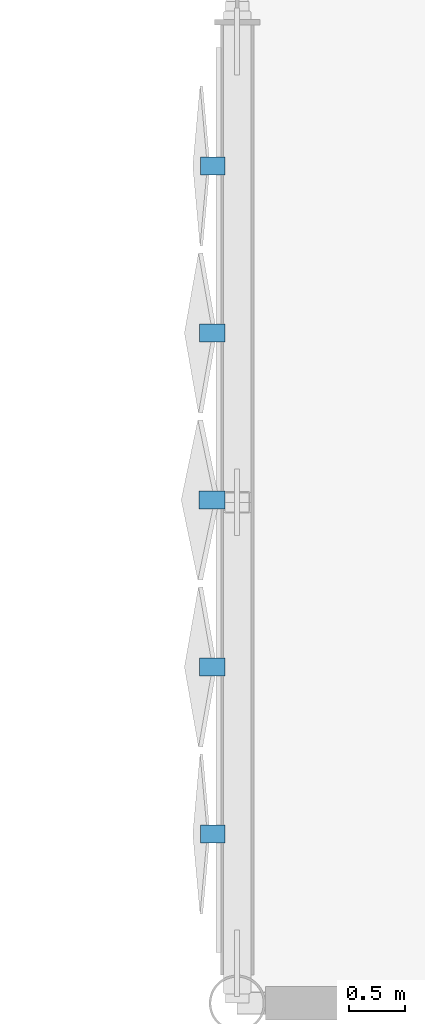
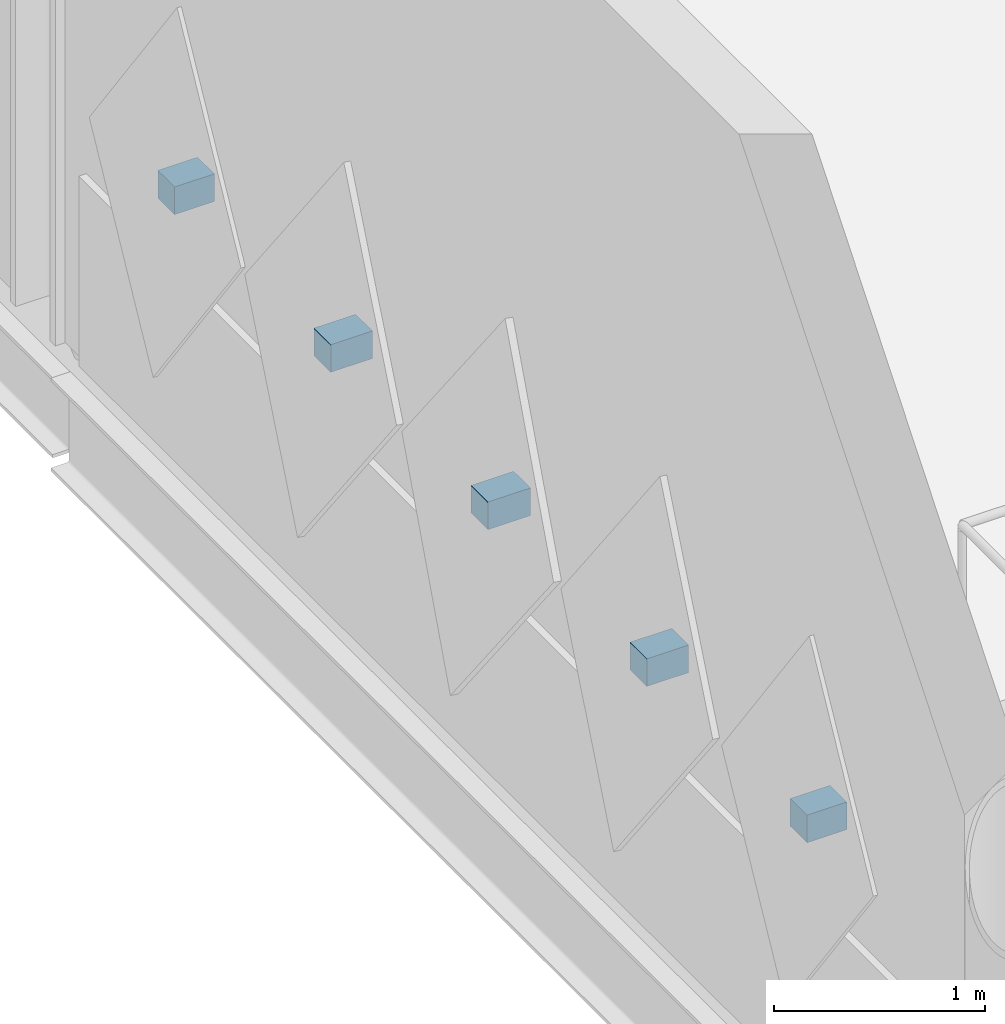
# One storey, part 69 of 94: 5 discrete accessories.
"""IFC4 building model written with IfcOpenShell, lengths in metres."""

from ifc_helpers import new_model, si_unit, direction, frame, origin, origin_2d, place, context, subcontext, project, spatial, rectangle, extrude, material, type_object, element, save


model = new_model("IFC4")

# Units and contexts
model_context = context("Model", 3, precision=1e-05, world=origin(), true_north=direction((0.0, 1.0)))
body_context = subcontext(model_context, "Body", "Model", "MODEL_VIEW")
ifc_project = project(units=[si_unit("LENGTHUNIT", "METRE"), si_unit("AREAUNIT", "SQUARE_METRE"), si_unit("VOLUMEUNIT", "CUBIC_METRE"), si_unit("PLANEANGLEUNIT", "RADIAN"), si_unit("MASSUNIT", "GRAM", prefix="KILO")], contexts=[model_context])

# Site, building, storey
site_placement = place(None, origin())
site = spatial("IfcSite", under=ifc_project, at=site_placement, CompositionType="ELEMENT")
building_placement = place(site_placement, origin())
building = spatial("IfcBuilding", under=site, at=building_placement, Name="Qamarlyn Nura Convention Centre", CompositionType="ELEMENT")
storey_placement = place(building_placement, origin())
storey = spatial("IfcBuildingStorey", under=building, at=storey_placement, Name="L00", CompositionType="ELEMENT", Elevation=0.0)

# Discrete accessories
ifc_material = material(Name="Marine Grade 316 stainless steel", Category="steel")
discrete_accessory_type = type_object("IfcDiscreteAccessoryType", Name="ACC-TILE-BRK", PredefinedType="BRACKET", material=ifc_material)
discrete_accessory_1_placement = place(storey_placement, frame((-0.218994140625, 19.520751953125, 1.6201171875), z_axis=(0.0, 0.0, 1.0), x_axis=(-1.0, 0.0, 0.0)))
element("IfcDiscreteAccessory", 1, at=discrete_accessory_1_placement, inside=storey, type_object=discrete_accessory_type, Name="L00 diamond tile pivot bracket 0001", PredefinedType="BRACKET", context=body_context, shape_type="SweptSolid", body=[
    extrude(rectangle(XDim=0.218017578125, YDim=0.159912109375, at=origin_2d()), origin(), (0.0, 0.0, 1.0), 0.159912109375),
])
discrete_accessory_2_placement = place(storey_placement, frame((-0.224365234375, 21.020751953125, 1.6201171875), z_axis=(0.0, 0.0, 1.0), x_axis=(-1.0, 0.0, 0.0)))
element("IfcDiscreteAccessory", 2, at=discrete_accessory_2_placement, inside=storey, type_object=discrete_accessory_type, Name="L00 diamond tile pivot bracket 0002", PredefinedType="BRACKET", context=body_context, shape_type="SweptSolid", body=[
    extrude(rectangle(XDim=0.228515625, YDim=0.159912109375, at=origin_2d()), origin(), (0.0, 0.0, 1.0), 0.159912109375),
])
discrete_accessory_3_placement = place(storey_placement, frame((-0.2265625, 22.520751953125, 1.6201171875), z_axis=(0.0, 0.0, 1.0), x_axis=(-1.0, 0.0, 0.0)))
element("IfcDiscreteAccessory", 3, at=discrete_accessory_3_placement, inside=storey, type_object=discrete_accessory_type, Name="L00 diamond tile pivot bracket 0003", PredefinedType="BRACKET", context=body_context, shape_type="SweptSolid", body=[
    extrude(rectangle(XDim=0.23291015625, YDim=0.159912109375, at=origin_2d()), origin(), (0.0, 0.0, 1.0), 0.159912109375),
])
discrete_accessory_4_placement = place(storey_placement, frame((-0.224365234375, 24.020751953125, 1.6201171875), z_axis=(0.0, 0.0, 1.0), x_axis=(-1.0, 0.0, 0.0)))
element("IfcDiscreteAccessory", 4, at=discrete_accessory_4_placement, inside=storey, type_object=discrete_accessory_type, Name="L00 diamond tile pivot bracket 0004", PredefinedType="BRACKET", context=body_context, shape_type="SweptSolid", body=[
    extrude(rectangle(XDim=0.228515625, YDim=0.159912109375, at=origin_2d()), origin(), (0.0, 0.0, 1.0), 0.159912109375),
])
discrete_accessory_5_placement = place(storey_placement, frame((-0.218994140625, 25.520751953125, 1.6201171875), z_axis=(0.0, 0.0, 1.0), x_axis=(-1.0, 0.0, 0.0)))
element("IfcDiscreteAccessory", 5, at=discrete_accessory_5_placement, inside=storey, type_object=discrete_accessory_type, Name="L00 diamond tile pivot bracket 0005", PredefinedType="BRACKET", context=body_context, shape_type="SweptSolid", body=[
    extrude(rectangle(XDim=0.218017578125, YDim=0.159912109375, at=origin_2d()), origin(), (0.0, 0.0, 1.0), 0.159912109375),
])

save(model, "model.ifc")
